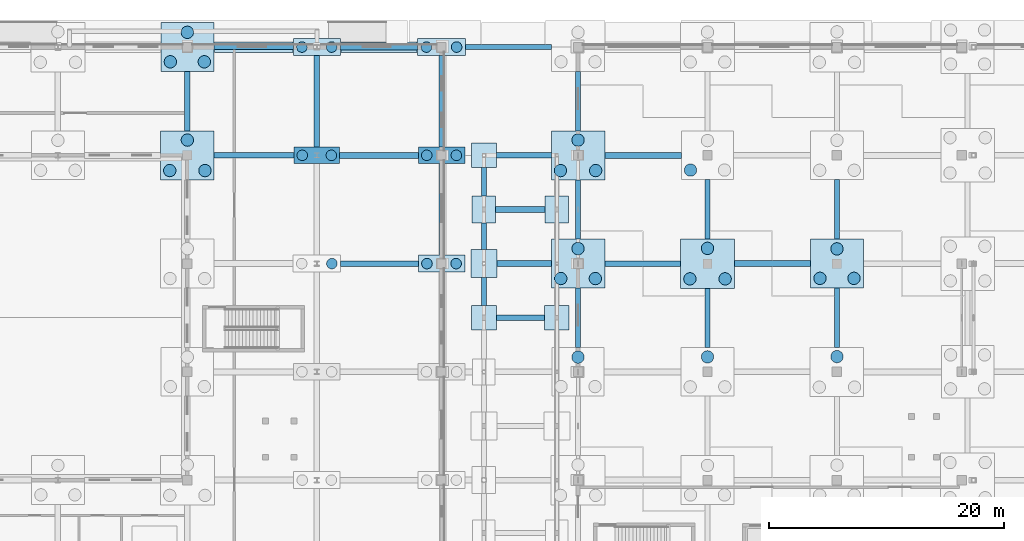
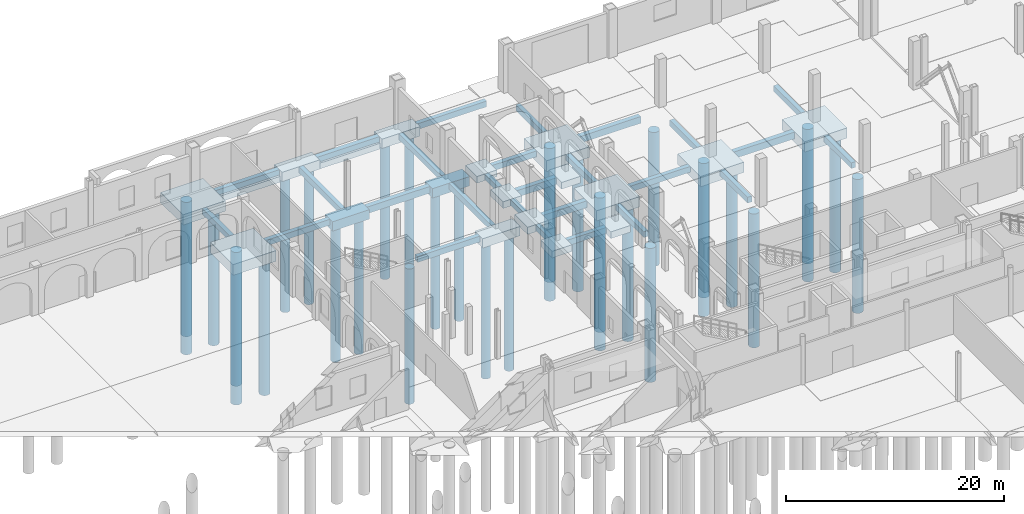
# One storey, part 9 of 83: 46 footings, 33 piles.
"""IFC4 building model written with IfcOpenShell, lengths in metres."""

import ifcopenshell
import ifcopenshell.guid

model = None  # the IFC model being written
_history = None  # IfcOwnerHistory: only IFC2X3 demands one
_inside = {}  # id of a spatial element -> (the spatial element, [elements in it])
_under = {}  # id of a project, library or spatial element -> (it, [spatial elements below it])
_declared = {}  # id of a project -> (the project, [libraries it declares])
_typed = {}  # id of a type object -> (the type object, [elements of that type])
_made_of = {}  # id of a material, layer set ... -> (it, [elements and type objects made of it])


def new_model(schema):
    """Start an empty IFC model of exactly this schema.

    Asked for "IFC4X3", IfcOpenShell would pick the latest addendum, in which some entities
    have other attributes; the version numbers below select the first issue.
    IFC2X3 requires an IfcOwnerHistory on every rooted entity: one is made here for all.
    """
    global model, _history
    if schema == "IFC4X3":
        model = ifcopenshell.file(schema_version=(4, 3, 0, 0))
    else:
        model = ifcopenshell.file(schema=schema)
    _inside.clear()
    _under.clear()
    _declared.clear()
    _typed.clear()
    _made_of.clear()
    _history = None
    if model.schema == "IFC2X3":
        org = make("IfcOrganization", Name="unknown")
        user = make(
            "IfcPersonAndOrganization",
            ThePerson=make("IfcPerson", FamilyName="unknown"),
            TheOrganization=org,
        )
        app = make(
            "IfcApplication",
            ApplicationDeveloper=org,
            Version="unknown",
            ApplicationFullName="unknown",
            ApplicationIdentifier="unknown",
        )
        _history = make(
            "IfcOwnerHistory",
            OwningUser=user,
            OwningApplication=app,
            ChangeAction="ADDED",
            CreationDate=0,
        )
    return model


def make(cls, **values):
    """One entity of the class cls with the attributes given. An attribute that is None is left unset."""
    return model.create_entity(
        cls, **{name: value for name, value in values.items() if value is not None}
    )


def rooted(cls, **values):
    """An entity with a GlobalId (a new one), such as an element, a storey or a relation."""
    return make(cls, GlobalId=ifcopenshell.guid.new(), OwnerHistory=_history, **values)


def si_unit(unit_type, name, prefix=None):
    """IfcSIUnit, for example si_unit("LENGTHUNIT", "METRE", prefix="MILLI")."""
    return make("IfcSIUnit", UnitType=unit_type, Prefix=prefix, Name=name)


def assignment(units):
    """IfcUnitAssignment: the units of a project."""
    return None if units is None else make("IfcUnitAssignment", Units=units)


def point(xyz):
    """IfcCartesianPoint."""
    return None if xyz is None else make("IfcCartesianPoint", Coordinates=xyz)


def direction(xyz):
    """IfcDirection."""
    return None if xyz is None else make("IfcDirection", DirectionRatios=xyz)


def frame(location, z_axis=None, x_axis=None):
    """IfcAxis2Placement3D, a coordinate frame: its origin and axes. An axis left out is left unset."""
    return make(
        "IfcAxis2Placement3D",
        Location=point(location),
        Axis=direction(z_axis),
        RefDirection=direction(x_axis),
    )


def frame_2d(location, x_axis=None):
    """IfcAxis2Placement2D, a coordinate frame in the plane: its origin and x axis."""
    return make(
        "IfcAxis2Placement2D", Location=point(location), RefDirection=direction(x_axis)
    )


def origin():
    """The frame at (0, 0, 0) with its axes left unset."""
    return frame((0.0, 0.0, 0.0))


def origin_2d():
    """The frame at (0, 0) in the plane with its x axis left unset."""
    return frame_2d((0.0, 0.0))


def place(relative_to, where):
    """IfcLocalPlacement: puts the frame where relative to a parent placement (None: the world)."""
    return make(
        "IfcLocalPlacement", PlacementRelTo=relative_to, RelativePlacement=where
    )


def context(
    kind, dimensions, precision=None, world=None, true_north=None, identifier=None
):
    """IfcGeometricRepresentationContext, for example the 3D "Model" context."""
    return make(
        "IfcGeometricRepresentationContext",
        ContextIdentifier=identifier,
        ContextType=kind,
        CoordinateSpaceDimension=dimensions,
        Precision=precision,
        WorldCoordinateSystem=world,
        TrueNorth=true_north,
    )


def subcontext(parent, identifier, kind, view, scale=None):
    """IfcGeometricRepresentationSubContext, for example "Body" below "Model"."""
    return make(
        "IfcGeometricRepresentationSubContext",
        ContextIdentifier=identifier,
        ContextType=kind,
        ParentContext=parent,
        TargetScale=scale,
        TargetView=view,
    )


def project(units=None, contexts=None):
    """IfcProject with its units and contexts."""
    return rooted(
        "IfcProject",
        Name="project",
        RepresentationContexts=contexts,
        UnitsInContext=assignment(units),
    )


def spatial(cls, under=None, at=None, **own):
    """A site, building, storey or space (cls), placed at a placement, below another one or the project."""
    s = rooted(cls, ObjectPlacement=at, **own)
    if under is not None:
        _under.setdefault(under.id(), (under, []))[1].append(s)
    return s


def polyline(points):
    """IfcPolyline through the points."""
    return make("IfcPolyline", Points=[point(p) for p in points])


def profile(cls, at=None, kind="AREA", **sizes):
    """A parametric profile (cls). Its sizes go by their IFC names, for example OverallWidth=200.0."""
    return make(cls, ProfileType=kind, Position=at, **sizes)


def circle(**sizes):
    """IfcCircleProfileDef."""
    return profile("IfcCircleProfileDef", **sizes)


def outline(outer, holes=None, kind="AREA"):
    """IfcArbitraryClosedProfileDef: a profile drawn as a closed curve; with holes, ...WithVoids."""
    if holes is None:
        return make("IfcArbitraryClosedProfileDef", ProfileType=kind, OuterCurve=outer)
    return make(
        "IfcArbitraryProfileDefWithVoids",
        ProfileType=kind,
        OuterCurve=outer,
        InnerCurves=holes,
    )


def extrude(swept, where, along, depth):
    """IfcExtrudedAreaSolid: the profile swept, set in the frame where, extruded along a direction by depth."""
    return make(
        "IfcExtrudedAreaSolid",
        SweptArea=swept,
        Position=where,
        ExtrudedDirection=direction(along),
        Depth=depth,
    )


def shape(context_of_items, identifier, shape_type, items):
    """IfcShapeRepresentation: the items that make up one representation, for example the "Body"."""
    return make(
        "IfcShapeRepresentation",
        ContextOfItems=context_of_items,
        RepresentationIdentifier=identifier,
        RepresentationType=shape_type,
        Items=items,
    )


def material(Name=None, Category=None):
    """IfcMaterial."""
    return make("IfcMaterial", Name=Name, Category=Category)


def material_profile(
    of_material, cross_section, Name=None, Category=None, Priority=None
):
    """IfcMaterialProfile: a cross section and its material."""
    return make(
        "IfcMaterialProfile",
        Name=Name,
        Material=of_material,
        Profile=cross_section,
        Priority=Priority,
        Category=Category,
    )


def profile_set(profiles, Name=None, composite=None):
    """IfcMaterialProfileSet."""
    return make(
        "IfcMaterialProfileSet",
        Name=Name,
        MaterialProfiles=profiles,
        CompositeProfile=composite,
    )


def made_of(thing, what):
    """Note that an element or type object is made of a material, layer set ...; save() writes the relation."""
    if what is not None:
        _made_of.setdefault(what.id(), (what, []))[1].append(thing)
    return thing


def type_object(cls, material=None, **own):
    """A type object (cls), such as IfcWallType, which elements share."""
    return made_of(rooted(cls, **own), material)


def element(
    cls,
    number,
    at=None,
    inside=None,
    cuts=None,
    type_object=None,
    material=None,
    context=None,
    identifier="Body",
    shape_type=None,
    held_by="IfcProductDefinitionShape",
    body=None,
    shapes=None,
    **own,
):
    """One element of the class cls, such as IfcWall. Its Tag is "e" and its number.

    at: its placement. inside: the storey or other place that contains it. cuts: it is an
    opening in that element (IfcRelVoidsElement). A single representation is given by context,
    identifier, shape_type and body (its items); several are given by shapes. held_by: the class
    of the entity that holds the representations. save() writes the other relations.
    """
    e = rooted(cls, Tag="e%d" % number, ObjectPlacement=at, **own)
    if body is not None:
        shapes = [shape(context, identifier, shape_type, body)]
    if shapes is not None:
        e.Representation = make(held_by, Representations=shapes)
    if inside is not None:
        _inside.setdefault(inside.id(), (inside, []))[1].append(e)
    if cuts is not None:
        rooted(
            "IfcRelVoidsElement", RelatingBuildingElement=cuts, RelatedOpeningElement=e
        )
    if type_object is not None:
        _typed.setdefault(type_object.id(), (type_object, []))[1].append(e)
    return made_of(e, material)


def aggregate(whole, parts):
    """IfcRelAggregates: a whole, such as a stair, and the parts it consists of."""
    return rooted("IfcRelAggregates", RelatingObject=whole, RelatedObjects=parts)


def save(model, path):
    """Write the relations noted so far, then the file.

    IfcRelAggregates (storeys below a building ...), IfcRelContainedInSpatialStructure (elements
    in a storey), IfcRelDefinesByType, IfcRelAssociatesMaterial and IfcRelDeclares: one each for
    every whole, place, type object, material and project.
    """
    for whole, parts in _under.values():
        aggregate(whole, parts)
    for where, things in _inside.values():
        rooted(
            "IfcRelContainedInSpatialStructure",
            RelatedElements=things,
            RelatingStructure=where,
        )
    for kind, things in _typed.values():
        rooted("IfcRelDefinesByType", RelatedObjects=things, RelatingType=kind)
    for what, things in _made_of.values():
        rooted("IfcRelAssociatesMaterial", RelatedObjects=things, RelatingMaterial=what)
    for by, libraries in _declared.values():
        rooted("IfcRelDeclares", RelatingContext=by, RelatedDefinitions=libraries)
    model.write(path)


model = new_model("IFC4")

# Units and contexts
model_context = context("Model", 3, precision=1e-05, world=origin(), true_north=direction((0.0, 1.0)))
body_context = subcontext(model_context, "Body", "Model", "MODEL_VIEW")
ifc_project = project(units=[si_unit("LENGTHUNIT", "METRE"), si_unit("AREAUNIT", "SQUARE_METRE"), si_unit("VOLUMEUNIT", "CUBIC_METRE"), si_unit("PLANEANGLEUNIT", "RADIAN"), si_unit("MASSUNIT", "GRAM", prefix="KILO")], contexts=[model_context])

# Site, building, storey
site_placement = place(None, origin())
site = spatial("IfcSite", under=ifc_project, at=site_placement, CompositionType="ELEMENT")
building_placement = place(site_placement, origin())
building = spatial("IfcBuilding", under=site, at=building_placement, Name="Caurita Quay Ferry Terminal", CompositionType="ELEMENT")
storey_placement = place(building_placement, origin())
storey = spatial("IfcBuildingStorey", under=building, at=storey_placement, Name="L00", CompositionType="ELEMENT", Elevation=0.0)

# Footings
ifc_material = material(Name="Marine reinforced concrete C40/50", Category="concrete")
footing_type_1 = type_object("IfcFootingType", Name="FTG-BM-01", PredefinedType="FOOTING_BEAM", material=ifc_material)
footing_1_placement = place(storey_placement, frame((0.0, 0.0, -1.14990234375)))
element("IfcFooting", 1, at=footing_1_placement, inside=storey, type_object=footing_type_1, Name="Seismic Tie Footing Beam FB-X-143", PredefinedType="FOOTING_BEAM", context=body_context, shape_type="SweptSolid", body=[
    extrude(outline(polyline([(92.300048828125, 98.35009765625), (96.925048828125, 98.35009765625), (96.925048828125, 98.85009765625), (92.300048828125, 98.85009765625), (92.300048828125, 98.35009765625)])), origin(), (0.0, 0.0, 1.0), 0.75),
])
footing_2_placement = place(storey_placement, frame((0.0, 0.0, -1.14990234375)))
element("IfcFooting", 2, at=footing_2_placement, inside=storey, type_object=footing_type_1, Name="Seismic Tie Footing Beam FB-X-145", PredefinedType="FOOTING_BEAM", context=body_context, shape_type="SweptSolid", body=[
    extrude(outline(polyline([(112.5, 98.35009765625), (118.949951171875, 98.35009765625), (118.949951171875, 98.85009765625), (112.5, 98.85009765625), (112.5, 98.35009765625)])), origin(), (0.0, 0.0, 1.0), 0.75),
])
footing_3_placement = place(storey_placement, frame((0.0, 0.0, -1.14990234375)))
element("IfcFooting", 3, at=footing_3_placement, inside=storey, type_object=footing_type_1, Name="Seismic Tie Footing Beam FB-X-151", PredefinedType="FOOTING_BEAM", context=body_context, shape_type="SweptSolid", body=[
    extrude(outline(polyline([(92.199951171875, 102.949951171875), (96.39990234375, 102.949951171875), (96.39990234375, 103.449951171875), (92.199951171875, 103.449951171875), (92.199951171875, 102.949951171875)])), origin(), (0.0, 0.0, 1.0), 0.75),
])
footing_4_placement = place(storey_placement, frame((0.0, 0.0, -1.14990234375)))
element("IfcFooting", 4, at=footing_4_placement, inside=storey, type_object=footing_type_1, Name="Seismic Tie Footing Beam FB-X-159", PredefinedType="FOOTING_BEAM", context=body_context, shape_type="SweptSolid", body=[
    extrude(outline(polyline([(78.949951171875, 107.550048828125), (85.625, 107.550048828125), (85.625, 108.050048828125), (78.949951171875, 108.050048828125), (78.949951171875, 107.550048828125)])), origin(), (0.0, 0.0, 1.0), 0.75),
])
footing_5_placement = place(storey_placement, frame((0.0, 0.0, -1.14990234375)))
element("IfcFooting", 5, at=footing_5_placement, inside=storey, type_object=footing_type_1, Name="Seismic Tie Footing Beam FB-X-161", PredefinedType="FOOTING_BEAM", context=body_context, shape_type="SweptSolid", body=[
    extrude(outline(polyline([(101.47509765625, 107.550048828125), (107.97509765625, 107.550048828125), (107.97509765625, 108.050048828125), (101.47509765625, 108.050048828125), (101.47509765625, 107.550048828125)])), origin(), (0.0, 0.0, 1.0), 0.75),
])
footing_6_placement = place(storey_placement, frame((0.0, 0.0, -1.14990234375)))
element("IfcFooting", 6, at=footing_6_placement, inside=storey, type_object=footing_type_1, Name="Seismic Tie Footing Beam FB-X-175", PredefinedType="FOOTING_BEAM", context=body_context, shape_type="SweptSolid", body=[
    extrude(outline(polyline([(79.0, 116.75), (85.574951171875, 116.75), (85.574951171875, 117.25), (79.0, 117.25), (79.0, 116.75)])), origin(), (0.0, 0.0, 1.0), 0.75),
])
footing_type_2 = type_object("IfcFootingType", Name="FTG-BM-02", PredefinedType="FOOTING_BEAM", material=ifc_material)
footing_7_placement = place(storey_placement, frame((0.0, 0.0, -1.050048828125)))
element("IfcFooting", 7, at=footing_7_placement, inside=storey, type_object=footing_type_2, Name="Seismic Tie Footing Beam FB-X-138", PredefinedType="FOOTING_BEAM", context=body_context, shape_type="SweptSolid", body=[
    extrude(outline(polyline([(92.25, 93.77490234375), (96.35009765625, 93.77490234375), (96.35009765625, 94.22509765625), (92.25, 94.22509765625), (92.25, 93.77490234375)])), origin(), (0.0, 0.0, 1.0), 0.650146484375),
])
footing_8_placement = place(storey_placement, frame((0.0, 0.0, -1.050048828125)))
element("IfcFooting", 8, at=footing_8_placement, inside=storey, type_object=footing_type_2, Name="Seismic Tie Footing Beam FB-X-142", PredefinedType="FOOTING_BEAM", context=body_context, shape_type="SweptSolid", body=[
    extrude(outline(polyline([(79.02490234375, 98.375), (85.625, 98.375), (85.625, 98.824951171875), (79.02490234375, 98.824951171875), (79.02490234375, 98.375)])), origin(), (0.0, 0.0, 1.0), 0.650146484375),
])
footing_9_placement = place(storey_placement, frame((0.0, 0.0, -1.050048828125)))
element("IfcFooting", 9, at=footing_9_placement, inside=storey, type_object=footing_type_2, Name="Seismic Tie Footing Beam FB-X-144", PredefinedType="FOOTING_BEAM", context=body_context, shape_type="SweptSolid", body=[
    extrude(outline(polyline([(101.47509765625, 98.375), (107.89990234375, 98.375), (107.89990234375, 98.824951171875), (101.47509765625, 98.824951171875), (101.47509765625, 98.375)])), origin(), (0.0, 0.0, 1.0), 0.650146484375),
])
footing_10_placement = place(storey_placement, frame((0.0, 0.0, -1.050048828125)))
element("IfcFooting", 10, at=footing_10_placement, inside=storey, type_object=footing_type_2, Name="Seismic Tie Footing Beam FB-X-158", PredefinedType="FOOTING_BEAM", context=body_context, shape_type="SweptSolid", body=[
    extrude(outline(polyline([(68.27490234375, 107.574951171875), (75.050048828125, 107.574951171875), (75.050048828125, 108.02490234375), (68.27490234375, 108.02490234375), (68.27490234375, 107.574951171875)])), origin(), (0.0, 0.0, 1.0), 0.650146484375),
])
footing_11_placement = place(storey_placement, frame((0.0, 0.0, -1.050048828125)))
element("IfcFooting", 11, at=footing_11_placement, inside=storey, type_object=footing_type_2, Name="Seismic Tie Footing Beam FB-X-160", PredefinedType="FOOTING_BEAM", context=body_context, shape_type="SweptSolid", body=[
    extrude(outline(polyline([(92.25, 107.574951171875), (96.925048828125, 107.574951171875), (96.925048828125, 108.02490234375), (92.25, 108.02490234375), (92.25, 107.574951171875)])), origin(), (0.0, 0.0, 1.0), 0.650146484375),
])
footing_12_placement = place(storey_placement, frame((0.0, 0.0, -1.050048828125)))
element("IfcFooting", 12, at=footing_12_placement, inside=storey, type_object=footing_type_2, Name="Seismic Tie Footing Beam FB-X-174", PredefinedType="FOOTING_BEAM", context=body_context, shape_type="SweptSolid", body=[
    extrude(outline(polyline([(68.25, 116.77490234375), (75.0, 116.77490234375), (75.0, 117.22509765625), (68.25, 117.22509765625), (68.25, 116.77490234375)])), origin(), (0.0, 0.0, 1.0), 0.650146484375),
])
footing_13_placement = place(storey_placement, frame((0.0, 0.0, -1.050048828125)))
element("IfcFooting", 13, at=footing_13_placement, inside=storey, type_object=footing_type_2, Name="Seismic Tie Footing Beam FB-X-176", PredefinedType="FOOTING_BEAM", context=body_context, shape_type="SweptSolid", body=[
    extrude(outline(polyline([(89.625, 116.77490234375), (96.949951171875, 116.77490234375), (96.949951171875, 117.22509765625), (89.625, 117.22509765625), (89.625, 116.77490234375)])), origin(), (0.0, 0.0, 1.0), 0.650146484375),
])
footing_14_placement = place(storey_placement, frame((0.0, 0.0, -1.050048828125)))
element("IfcFooting", 14, at=footing_14_placement, inside=storey, type_object=footing_type_2, Name="Seismic Tie Footing Beam FB-Y-250", PredefinedType="FOOTING_BEAM", context=body_context, shape_type="SweptSolid", body=[
    extrude(outline(polyline([(65.77490234375, 109.875), (66.22509765625, 109.875), (66.22509765625, 114.925048828125), (65.77490234375, 114.925048828125), (65.77490234375, 109.875)])), origin(), (0.0, 0.0, 1.0), 0.650146484375),
])
footing_15_placement = place(storey_placement, frame((0.0, 0.0, -1.050048828125)))
element("IfcFooting", 15, at=footing_15_placement, inside=storey, type_object=footing_type_2, Name="Seismic Tie Footing Beam FB-Y-261", PredefinedType="FOOTING_BEAM", context=body_context, shape_type="SweptSolid", body=[
    extrude(outline(polyline([(76.77490234375, 108.5), (77.22509765625, 108.5), (77.22509765625, 116.27490234375), (76.77490234375, 116.27490234375), (76.77490234375, 108.5)])), origin(), (0.0, 0.0, 1.0), 0.650146484375),
])
footing_16_placement = place(storey_placement, frame((0.0, 0.0, -1.050048828125)))
element("IfcFooting", 16, at=footing_16_placement, inside=storey, type_object=footing_type_2, Name="Seismic Tie Footing Beam FB-Y-269", PredefinedType="FOOTING_BEAM", context=body_context, shape_type="SweptSolid", body=[
    extrude(outline(polyline([(87.375, 99.324951171875), (87.824951171875, 99.324951171875), (87.824951171875, 107.10009765625), (87.375, 107.10009765625), (87.375, 99.324951171875)])), origin(), (0.0, 0.0, 1.0), 0.650146484375),
])
footing_17_placement = place(storey_placement, frame((0.0, 0.0, -1.050048828125)))
element("IfcFooting", 17, at=footing_17_placement, inside=storey, type_object=footing_type_2, Name="Seismic Tie Footing Beam FB-Y-270", PredefinedType="FOOTING_BEAM", context=body_context, shape_type="SweptSolid", body=[
    extrude(outline(polyline([(87.375, 108.5), (87.824951171875, 108.5), (87.824951171875, 116.27490234375), (87.375, 116.27490234375), (87.375, 108.5)])), origin(), (0.0, 0.0, 1.0), 0.650146484375),
])
footing_18_placement = place(storey_placement, frame((0.0, 0.0, -1.050048828125)))
element("IfcFooting", 18, at=footing_18_placement, inside=storey, type_object=footing_type_2, Name="Seismic Tie Footing Beam FB-Y-275", PredefinedType="FOOTING_BEAM", context=body_context, shape_type="SweptSolid", body=[
    extrude(outline(polyline([(90.97509765625, 95.050048828125), (91.425048828125, 95.050048828125), (91.425048828125, 97.39990234375), (90.97509765625, 97.39990234375), (90.97509765625, 95.050048828125)])), origin(), (0.0, 0.0, 1.0), 0.650146484375),
])
footing_19_placement = place(storey_placement, frame((0.0, 0.0, -1.050048828125)))
element("IfcFooting", 19, at=footing_19_placement, inside=storey, type_object=footing_type_2, Name="Seismic Tie Footing Beam FB-Y-276", PredefinedType="FOOTING_BEAM", context=body_context, shape_type="SweptSolid", body=[
    extrude(outline(polyline([(90.97509765625, 99.800048828125), (91.425048828125, 99.800048828125), (91.425048828125, 102.050048828125), (90.97509765625, 102.050048828125), (90.97509765625, 99.800048828125)])), origin(), (0.0, 0.0, 1.0), 0.650146484375),
])
footing_20_placement = place(storey_placement, frame((0.0, 0.0, -1.050048828125)))
element("IfcFooting", 20, at=footing_20_placement, inside=storey, type_object=footing_type_2, Name="Seismic Tie Footing Beam FB-Y-277", PredefinedType="FOOTING_BEAM", context=body_context, shape_type="SweptSolid", body=[
    extrude(outline(polyline([(90.97509765625, 104.35009765625), (91.425048828125, 104.35009765625), (91.425048828125, 106.75), (90.97509765625, 106.75), (90.97509765625, 104.35009765625)])), origin(), (0.0, 0.0, 1.0), 0.650146484375),
])
footing_21_placement = place(storey_placement, frame((0.0, 0.0, -1.050048828125)))
element("IfcFooting", 21, at=footing_21_placement, inside=storey, type_object=footing_type_2, Name="Seismic Tie Footing Beam FB-Y-284", PredefinedType="FOOTING_BEAM", context=body_context, shape_type="SweptSolid", body=[
    extrude(outline(polyline([(98.97509765625, 91.449951171875), (99.425048828125, 91.449951171875), (99.425048828125, 96.52490234375), (98.97509765625, 96.52490234375), (98.97509765625, 91.449951171875)])), origin(), (0.0, 0.0, 1.0), 0.650146484375),
])
footing_22_placement = place(storey_placement, frame((0.0, 0.0, -1.050048828125)))
element("IfcFooting", 22, at=footing_22_placement, inside=storey, type_object=footing_type_2, Name="Seismic Tie Footing Beam FB-Y-285", PredefinedType="FOOTING_BEAM", context=body_context, shape_type="SweptSolid", body=[
    extrude(outline(polyline([(98.97509765625, 100.675048828125), (99.425048828125, 100.675048828125), (99.425048828125, 105.72509765625), (98.97509765625, 105.72509765625), (98.97509765625, 100.675048828125)])), origin(), (0.0, 0.0, 1.0), 0.650146484375),
])
footing_23_placement = place(storey_placement, frame((0.0, 0.0, -1.050048828125)))
element("IfcFooting", 23, at=footing_23_placement, inside=storey, type_object=footing_type_2, Name="Seismic Tie Footing Beam FB-Y-286", PredefinedType="FOOTING_BEAM", context=body_context, shape_type="SweptSolid", body=[
    extrude(outline(polyline([(98.97509765625, 109.875), (99.425048828125, 109.875), (99.425048828125, 114.925048828125), (98.97509765625, 114.925048828125), (98.97509765625, 109.875)])), origin(), (0.0, 0.0, 1.0), 0.650146484375),
])
footing_24_placement = place(storey_placement, frame((0.0, 0.0, -1.050048828125)))
element("IfcFooting", 24, at=footing_24_placement, inside=storey, type_object=footing_type_2, Name="Seismic Tie Footing Beam FB-Y-293", PredefinedType="FOOTING_BEAM", context=body_context, shape_type="SweptSolid", body=[
    extrude(outline(polyline([(109.97509765625, 91.449951171875), (110.425048828125, 91.449951171875), (110.425048828125, 96.5), (109.97509765625, 96.5), (109.97509765625, 91.449951171875)])), origin(), (0.0, 0.0, 1.0), 0.650146484375),
])
footing_25_placement = place(storey_placement, frame((0.0, 0.0, -1.050048828125)))
element("IfcFooting", 25, at=footing_25_placement, inside=storey, type_object=footing_type_2, Name="Seismic Tie Footing Beam FB-Y-294", PredefinedType="FOOTING_BEAM", context=body_context, shape_type="SweptSolid", body=[
    extrude(outline(polyline([(109.97509765625, 100.699951171875), (110.425048828125, 100.699951171875), (110.425048828125, 105.75), (109.97509765625, 105.75), (109.97509765625, 100.699951171875)])), origin(), (0.0, 0.0, 1.0), 0.650146484375),
])
footing_26_placement = place(storey_placement, frame((0.0, 0.0, -1.050048828125)))
element("IfcFooting", 26, at=footing_26_placement, inside=storey, type_object=footing_type_2, Name="Seismic Tie Footing Beam FB-Y-302", PredefinedType="FOOTING_BEAM", context=body_context, shape_type="SweptSolid", body=[
    extrude(outline(polyline([(120.97509765625, 91.47509765625), (121.425048828125, 91.47509765625), (121.425048828125, 96.52490234375), (120.97509765625, 96.52490234375), (120.97509765625, 91.47509765625)])), origin(), (0.0, 0.0, 1.0), 0.650146484375),
])
footing_27_placement = place(storey_placement, frame((0.0, 0.0, -1.050048828125)))
element("IfcFooting", 27, at=footing_27_placement, inside=storey, type_object=footing_type_2, Name="Seismic Tie Footing Beam FB-Y-303", PredefinedType="FOOTING_BEAM", context=body_context, shape_type="SweptSolid", body=[
    extrude(outline(polyline([(120.97509765625, 100.675048828125), (121.425048828125, 100.675048828125), (121.425048828125, 105.75), (120.97509765625, 105.75), (120.97509765625, 100.675048828125)])), origin(), (0.0, 0.0, 1.0), 0.650146484375),
])
footing_type_3 = type_object("IfcFootingType", Name="FTG-PAD-01", PredefinedType="PAD_FOOTING", material=ifc_material)
footing_28_placement = place(storey_placement, frame((0.0, 0.0, -1.14990234375)))
element("IfcFooting", 28, at=footing_28_placement, inside=storey, type_object=footing_type_3, Name="Pad Footing PF-05", PredefinedType="PAD_FOOTING", context=body_context, shape_type="SweptSolid", body=[
    extrude(outline(polyline([(90.14990234375, 106.75), (92.25, 106.75), (92.25, 108.85009765625), (90.14990234375, 108.85009765625), (90.14990234375, 106.75)])), origin(), (0.0, 0.0, 1.0), 0.75),
])
footing_29_placement = place(storey_placement, frame((0.0, 0.0, -1.14990234375)))
element("IfcFooting", 29, at=footing_29_placement, inside=storey, type_object=footing_type_3, Name="Pad Footing PF-13", PredefinedType="PAD_FOOTING", context=body_context, shape_type="SweptSolid", body=[
    extrude(outline(polyline([(90.14990234375, 92.949951171875), (92.25, 92.949951171875), (92.25, 95.050048828125), (90.14990234375, 95.050048828125), (90.14990234375, 92.949951171875)])), origin(), (0.0, 0.0, 1.0), 0.75),
])
footing_30_placement = place(storey_placement, frame((0.0, 0.0, -1.14990234375)))
element("IfcFooting", 30, at=footing_30_placement, inside=storey, type_object=footing_type_3, Name="Pad Footing PF-17", PredefinedType="PAD_FOOTING", context=body_context, shape_type="SweptSolid", body=[
    extrude(outline(polyline([(96.35009765625, 92.949951171875), (98.449951171875, 92.949951171875), (98.449951171875, 95.050048828125), (96.35009765625, 95.050048828125), (96.35009765625, 92.949951171875)])), origin(), (0.0, 0.0, 1.0), 0.75),
])
footing_type_4 = type_object("IfcFootingType", Name="FTG-PAD-02", PredefinedType="PAD_FOOTING", material=ifc_material)
footing_31_placement = place(storey_placement, frame((0.0, 0.0, -1.14990234375)))
element("IfcFooting", 31, at=footing_31_placement, inside=storey, type_object=footing_type_4, Name="Pad Footing PF-14", PredefinedType="PAD_FOOTING", context=body_context, shape_type="SweptSolid", body=[
    extrude(outline(polyline([(90.199951171875, 102.050048828125), (92.199951171875, 102.050048828125), (92.199951171875, 104.35009765625), (90.199951171875, 104.35009765625), (90.199951171875, 102.050048828125)])), origin(), (0.0, 0.0, 1.0), 0.75),
])
footing_32_placement = place(storey_placement, frame((0.0, 0.0, -1.14990234375)))
element("IfcFooting", 32, at=footing_32_placement, inside=storey, type_object=footing_type_4, Name="Pad Footing PF-18", PredefinedType="PAD_FOOTING", context=body_context, shape_type="SweptSolid", body=[
    extrude(outline(polyline([(96.39990234375, 102.050048828125), (98.39990234375, 102.050048828125), (98.39990234375, 104.35009765625), (96.39990234375, 104.35009765625), (96.39990234375, 102.050048828125)])), origin(), (0.0, 0.0, 1.0), 0.75),
])
footing_type_5 = type_object("IfcFootingType", Name="FTG-PAD-04", PredefinedType="PAD_FOOTING", material=ifc_material)
footing_33_placement = place(storey_placement, frame((0.0, 0.0, -1.199951171875)))
element("IfcFooting", 33, at=footing_33_placement, inside=storey, type_object=footing_type_5, Name="Pad Footing PF-04", PredefinedType="PAD_FOOTING", context=body_context, shape_type="SweptSolid", body=[
    extrude(outline(polyline([(90.10009765625, 97.39990234375), (92.300048828125, 97.39990234375), (92.300048828125, 99.800048828125), (90.10009765625, 99.800048828125), (90.10009765625, 97.39990234375)])), origin(), (0.0, 0.0, 1.0), 0.800048828125),
])
footing_type_6 = type_object("IfcFootingType", Name="FTG-PC-02", PredefinedType="PILE_CAP", material=ifc_material)
footing_34_placement = place(storey_placement, frame((0.0, 0.0, -1.550048828125)))
element("IfcFooting", 34, at=footing_34_placement, inside=storey, type_object=footing_type_6, Name="Pile Cap PC-092", PredefinedType="PILE_CAP", context=body_context, shape_type="SweptSolid", body=[
    extrude(outline(polyline([(96.925048828125, 96.52490234375), (101.47509765625, 96.52490234375), (101.47509765625, 100.675048828125), (96.925048828125, 100.675048828125), (96.925048828125, 96.52490234375)])), origin(), (0.0, 0.0, 1.0), 1.150146484375),
])
footing_type_7 = type_object("IfcFootingType", Name="FTG-PC-03", PredefinedType="PILE_CAP", material=ifc_material)
footing_35_placement = place(storey_placement, frame((0.0, 0.0, -1.60009765625)))
element("IfcFooting", 35, at=footing_35_placement, inside=storey, type_object=footing_type_7, Name="Pile Cap PC-063", PredefinedType="PILE_CAP", context=body_context, shape_type="SweptSolid", body=[
    extrude(outline(polyline([(63.72509765625, 105.72509765625), (68.27490234375, 105.72509765625), (68.27490234375, 109.875), (63.72509765625, 109.875), (63.72509765625, 105.72509765625)])), origin(), (0.0, 0.0, 1.0), 1.2001953125),
])
footing_36_placement = place(storey_placement, frame((0.0, 0.0, -1.60009765625)))
element("IfcFooting", 36, at=footing_36_placement, inside=storey, type_object=footing_type_7, Name="Pile Cap PC-093", PredefinedType="PILE_CAP", context=body_context, shape_type="SweptSolid", body=[
    extrude(outline(polyline([(96.925048828125, 105.72509765625), (101.47509765625, 105.72509765625), (101.47509765625, 109.875), (96.925048828125, 109.875), (96.925048828125, 105.72509765625)])), origin(), (0.0, 0.0, 1.0), 1.2001953125),
])
footing_type_8 = type_object("IfcFootingType", Name="FTG-PC-12", PredefinedType="PILE_CAP", material=ifc_material)
footing_37_placement = place(storey_placement, frame((0.0, 0.0, -1.449951171875)))
element("IfcFooting", 37, at=footing_37_placement, inside=storey, type_object=footing_type_8, Name="Pile Cap PC-084", PredefinedType="PILE_CAP", context=body_context, shape_type="SweptSolid", body=[
    extrude(outline(polyline([(85.574951171875, 116.27490234375), (89.625, 116.27490234375), (89.625, 117.72509765625), (85.574951171875, 117.72509765625), (85.574951171875, 116.27490234375)])), origin(), (0.0, 0.0, 1.0), 1.050048828125),
])
footing_type_9 = type_object("IfcFootingType", Name="FTG-PC-13", PredefinedType="PILE_CAP", material=ifc_material)
footing_38_placement = place(storey_placement, frame((0.0, 0.0, -1.449951171875)))
element("IfcFooting", 38, at=footing_38_placement, inside=storey, type_object=footing_type_9, Name="Pile Cap PC-073", PredefinedType="PILE_CAP", context=body_context, shape_type="SweptSolid", body=[
    extrude(outline(polyline([(75.050048828125, 107.10009765625), (78.949951171875, 107.10009765625), (78.949951171875, 108.5), (75.050048828125, 108.5), (75.050048828125, 107.10009765625)])), origin(), (0.0, 0.0, 1.0), 1.050048828125),
])
footing_type_10 = type_object("IfcFootingType", Name="FTG-PC-18", PredefinedType="PILE_CAP", material=ifc_material)
footing_39_placement = place(storey_placement, frame((0.0, 0.0, -1.449951171875)))
element("IfcFooting", 39, at=footing_39_placement, inside=storey, type_object=footing_type_10, Name="Pile Cap PC-082", PredefinedType="PILE_CAP", context=body_context, shape_type="SweptSolid", body=[
    extrude(outline(polyline([(85.625, 97.875), (89.574951171875, 97.875), (89.574951171875, 99.324951171875), (85.625, 99.324951171875), (85.625, 97.875)])), origin(), (0.0, 0.0, 1.0), 1.050048828125),
])
footing_type_11 = type_object("IfcFootingType", Name="FTG-PC-19", PredefinedType="PILE_CAP", material=ifc_material)
footing_40_placement = place(storey_placement, frame((0.0, 0.0, -1.449951171875)))
element("IfcFooting", 40, at=footing_40_placement, inside=storey, type_object=footing_type_11, Name="Pile Cap PC-083", PredefinedType="PILE_CAP", context=body_context, shape_type="SweptSolid", body=[
    extrude(outline(polyline([(85.625, 107.10009765625), (89.574951171875, 107.10009765625), (89.574951171875, 108.5), (85.625, 108.5), (85.625, 107.10009765625)])), origin(), (0.0, 0.0, 1.0), 1.050048828125),
])
footing_type_12 = type_object("IfcFootingType", Name="FTG-PC-22", PredefinedType="PILE_CAP", material=ifc_material)
footing_41_placement = place(storey_placement, frame((0.0, 0.0, -1.449951171875)))
element("IfcFooting", 41, at=footing_41_placement, inside=storey, type_object=footing_type_12, Name="Pile Cap PC-074", PredefinedType="PILE_CAP", context=body_context, shape_type="SweptSolid", body=[
    extrude(outline(polyline([(75.0, 116.27490234375), (79.0, 116.27490234375), (79.0, 117.72509765625), (75.0, 117.72509765625), (75.0, 116.27490234375)])), origin(), (0.0, 0.0, 1.0), 1.050048828125),
])
footing_type_13 = type_object("IfcFootingType", Name="FTG-PC-25", PredefinedType="PILE_CAP", material=ifc_material)
footing_42_placement = place(storey_placement, frame((0.0, 0.0, -1.550048828125)))
element("IfcFooting", 42, at=footing_42_placement, inside=storey, type_object=footing_type_13, Name="Pile Cap PC-064", PredefinedType="PILE_CAP", context=body_context, shape_type="SweptSolid", body=[
    extrude(outline(polyline([(63.75, 114.925048828125), (68.25, 114.925048828125), (68.25, 119.074951171875), (63.75, 119.074951171875), (63.75, 114.925048828125)])), origin(), (0.0, 0.0, 1.0), 1.150146484375),
])
footing_43_placement = place(storey_placement, frame((0.0, 0.0, -1.550048828125)))
element("IfcFooting", 43, at=footing_43_placement, inside=storey, type_object=footing_type_13, Name="Pile Cap PC-112", PredefinedType="PILE_CAP", context=body_context, shape_type="SweptSolid", body=[
    extrude(outline(polyline([(118.949951171875, 96.52490234375), (123.449951171875, 96.52490234375), (123.449951171875, 100.675048828125), (118.949951171875, 100.675048828125), (118.949951171875, 96.52490234375)])), origin(), (0.0, 0.0, 1.0), 1.150146484375),
])
footing_type_14 = type_object("IfcFootingType", Name="FTG-PC-27", PredefinedType="PILE_CAP", material=ifc_material)
footing_44_placement = place(storey_placement, frame((0.0, 0.0, -1.550048828125)))
element("IfcFooting", 44, at=footing_44_placement, inside=storey, type_object=footing_type_14, Name="Pile Cap PC-102", PredefinedType="PILE_CAP", context=body_context, shape_type="SweptSolid", body=[
    extrude(outline(polyline([(107.89990234375, 96.5), (112.5, 96.5), (112.5, 100.699951171875), (107.89990234375, 100.699951171875), (107.89990234375, 96.5)])), origin(), (0.0, 0.0, 1.0), 1.150146484375),
])
footing_type_15 = type_object("IfcFootingType", Name="FTG-STR-01", PredefinedType="STRIP_FOOTING", material=ifc_material)
footing_45_placement = place(storey_placement, frame((0.0, 0.0, -1.64990234375)))
element("IfcFooting", 45, at=footing_45_placement, inside=storey, type_object=footing_type_15, Name="Marine Seawall Strip Footing SF-17", PredefinedType="STRIP_FOOTING", context=body_context, shape_type="SweptSolid", body=[
    extrude(outline(polyline([(68.2900390625, 116.550048828125), (74.9599609375, 116.550048828125), (74.9599609375, 117.449951171875), (68.2900390625, 117.449951171875), (68.2900390625, 116.550048828125)])), origin(), (0.0, 0.0, 1.0), 0.64990234375),
])
footing_46_placement = place(storey_placement, frame((0.0, 0.0, -1.64990234375)))
element("IfcFooting", 46, at=footing_46_placement, inside=storey, type_object=footing_type_15, Name="Marine Seawall Strip Footing SF-18", PredefinedType="STRIP_FOOTING", context=body_context, shape_type="SweptSolid", body=[
    extrude(outline(polyline([(79.0400390625, 116.550048828125), (85.534912109375, 116.550048828125), (85.534912109375, 117.449951171875), (79.0400390625, 117.449951171875), (79.0400390625, 116.550048828125)])), origin(), (0.0, 0.0, 1.0), 0.64990234375),
])

# Piles
ifc_material_profile_1 = material_profile(ifc_material, circle(Radius=0.52490234375, at=origin_2d()), Name="PILE-D1050")
ifc_profile_set_1 = profile_set([ifc_material_profile_1], Name="Marine reinforced concrete C40/50")
pile_type_1 = type_object("IfcPileType", Name="TYPE-PL-1050", PredefinedType="BORED", material=ifc_profile_set_1)
for number, where, z_axis, x_axis, name in (
    (47, (64.50390625, 106.50390625, -1.5), (0.0, 0.0, -1.0), (1.0, 0.0, 0.0), "Bored Marine Pile PC-063-P1"),
    (48, (67.49609375, 106.50390625, -1.5), (0.0, 0.0, -1.0), (1.0, 0.0, 0.0), "Bored Marine Pile PC-063-P2"),
    (49, (66.0, 109.095947265625, -1.5), (0.0, 0.0, -1.0), (1.0, 0.0, 0.0), "Bored Marine Pile PC-063-P3"),
):
    element("IfcPile", number, at=place(storey_placement, frame(where, z_axis=z_axis, x_axis=x_axis)), inside=storey, type_object=pile_type_1, Name=name, PredefinedType="BORED", context=body_context, shape_type="SweptSolid", body=[
        extrude(circle(Radius=0.52490234375, at=origin_2d()), origin(), (0.0, 0.0, 1.0), 15.0),
    ])
for number, where, z_axis, x_axis, name in (
    (50, (64.555908203125, 115.7490234375, -1.449951171875), (0.0, 0.0, -1.0), (1.0, 0.0, 0.0), "Bored Marine Pile PC-064-P1"),
    (51, (67.444091796875, 115.7490234375, -1.449951171875), (0.0, 0.0, -1.0), (1.0, 0.0, 0.0), "Bored Marine Pile PC-064-P2"),
    (52, (66.0, 118.2509765625, -1.449951171875), (0.0, 0.0, -1.0), (1.0, 0.0, 0.0), "Bored Marine Pile PC-064-P3"),
):
    element("IfcPile", number, at=place(storey_placement, frame(where, z_axis=z_axis, x_axis=x_axis)), inside=storey, type_object=pile_type_1, Name=name, PredefinedType="BORED", context=body_context, shape_type="SweptSolid", body=[
        extrude(circle(Radius=0.52490234375, at=origin_2d()), origin(), (0.0, 0.0, 1.0), 15.050048828125),
    ])
pile_placement = place(storey_placement, frame((99.199951171875, 90.65087890625, -1.5), z_axis=(0.0, 0.0, -1.0), x_axis=(1.0, 0.0, 0.0)))
element("IfcPile", 53, at=pile_placement, inside=storey, type_object=pile_type_1, Name="Bored Marine Pile PC-091-P3", PredefinedType="BORED", context=body_context, shape_type="SweptSolid", body=[
    extrude(circle(Radius=0.52490234375, at=origin_2d()), origin(), (0.0, 0.0, 1.0), 15.0),
])
for number, where, z_axis, x_axis, name in (
    (54, (97.72998046875, 97.326904296875, -1.449951171875), (0.0, 0.0, -1.0), (1.0, 0.0, 0.0), "Bored Marine Pile PC-092-P1"),
    (55, (100.669921875, 97.326904296875, -1.449951171875), (0.0, 0.0, -1.0), (1.0, 0.0, 0.0), "Bored Marine Pile PC-092-P2"),
    (56, (99.199951171875, 99.873046875, -1.449951171875), (0.0, 0.0, -1.0), (1.0, 0.0, 0.0), "Bored Marine Pile PC-092-P3"),
):
    element("IfcPile", number, at=place(storey_placement, frame(where, z_axis=z_axis, x_axis=x_axis)), inside=storey, type_object=pile_type_1, Name=name, PredefinedType="BORED", context=body_context, shape_type="SweptSolid", body=[
        extrude(circle(Radius=0.52490234375, at=origin_2d()), origin(), (0.0, 0.0, 1.0), 15.050048828125),
    ])
for number, where, z_axis, x_axis, name in (
    (57, (97.7041015625, 106.50390625, -1.5), (0.0, 0.0, -1.0), (1.0, 0.0, 0.0), "Bored Marine Pile PC-093-P1"),
    (58, (100.697021484375, 106.50390625, -1.5), (0.0, 0.0, -1.0), (1.0, 0.0, 0.0), "Bored Marine Pile PC-093-P2"),
    (59, (99.199951171875, 109.095947265625, -1.5), (0.0, 0.0, -1.0), (1.0, 0.0, 0.0), "Bored Marine Pile PC-093-P3"),
    (60, (110.199951171875, 90.673095703125, -1.5), (0.0, 0.0, -1.0), (1.0, 0.0, 0.0), "Bored Marine Pile PC-101-P3"),
):
    element("IfcPile", number, at=place(storey_placement, frame(where, z_axis=z_axis, x_axis=x_axis)), inside=storey, type_object=pile_type_1, Name=name, PredefinedType="BORED", context=body_context, shape_type="SweptSolid", body=[
        extrude(circle(Radius=0.52490234375, at=origin_2d()), origin(), (0.0, 0.0, 1.0), 15.0),
    ])
for number, where, z_axis, x_axis, name in (
    (61, (108.7041015625, 97.303955078125, -1.449951171875), (0.0, 0.0, -1.0), (1.0, 0.0, 0.0), "Bored Marine Pile PC-102-P1"),
    (62, (111.697021484375, 97.303955078125, -1.449951171875), (0.0, 0.0, -1.0), (1.0, 0.0, 0.0), "Bored Marine Pile PC-102-P2"),
    (63, (110.199951171875, 99.89599609375, -1.449951171875), (0.0, 0.0, -1.0), (1.0, 0.0, 0.0), "Bored Marine Pile PC-102-P3"),
):
    element("IfcPile", number, at=place(storey_placement, frame(where, z_axis=z_axis, x_axis=x_axis)), inside=storey, type_object=pile_type_1, Name=name, PredefinedType="BORED", context=body_context, shape_type="SweptSolid", body=[
        extrude(circle(Radius=0.52490234375, at=origin_2d()), origin(), (0.0, 0.0, 1.0), 15.050048828125),
    ])
for number, where, z_axis, x_axis, name in (
    (64, (108.756103515625, 106.549072265625, -1.5), (0.0, 0.0, -1.0), (1.0, 0.0, 0.0), "Bored Marine Pile PC-103-P1"),
    (65, (121.199951171875, 90.696044921875, -1.5), (0.0, 0.0, -1.0), (1.0, 0.0, 0.0), "Bored Marine Pile PC-111-P3"),
):
    element("IfcPile", number, at=place(storey_placement, frame(where, z_axis=z_axis, x_axis=x_axis)), inside=storey, type_object=pile_type_1, Name=name, PredefinedType="BORED", context=body_context, shape_type="SweptSolid", body=[
        extrude(circle(Radius=0.52490234375, at=origin_2d()), origin(), (0.0, 0.0, 1.0), 15.0),
    ])
for number, where, z_axis, x_axis, name in (
    (66, (119.756103515625, 97.34912109375, -1.449951171875), (0.0, 0.0, -1.0), (1.0, 0.0, 0.0), "Bored Marine Pile PC-112-P1"),
    (67, (122.64404296875, 97.34912109375, -1.449951171875), (0.0, 0.0, -1.0), (1.0, 0.0, 0.0), "Bored Marine Pile PC-112-P2"),
    (68, (121.199951171875, 99.85107421875, -1.449951171875), (0.0, 0.0, -1.0), (1.0, 0.0, 0.0), "Bored Marine Pile PC-112-P3"),
):
    element("IfcPile", number, at=place(storey_placement, frame(where, z_axis=z_axis, x_axis=x_axis)), inside=storey, type_object=pile_type_1, Name=name, PredefinedType="BORED", context=body_context, shape_type="SweptSolid", body=[
        extrude(circle(Radius=0.52490234375, at=origin_2d()), origin(), (0.0, 0.0, 1.0), 15.050048828125),
    ])
ifc_material_profile_2 = material_profile(ifc_material, circle(Radius=0.449951171875, at=origin_2d()), Name="PILE-D900")
ifc_profile_set_2 = profile_set([ifc_material_profile_2], Name="Marine reinforced concrete C40/50")
pile_type_2 = type_object("IfcPileType", Name="TYPE-PL-900", PredefinedType="BORED", material=ifc_profile_set_2)
for number, where, z_axis, x_axis, name in (
    (69, (78.281982421875, 98.60009765625, -1.35009765625), (0.0, 0.0, -1.0), (1.0, 0.0, 0.0), "Bored Marine Pile PC-072-P2"),
    (70, (75.762939453125, 107.800048828125, -1.35009765625), (0.0, 0.0, -1.0), (1.0, 0.0, 0.0), "Bored Marine Pile PC-073-P1"),
    (71, (78.237060546875, 107.800048828125, -1.35009765625), (0.0, 0.0, -1.0), (1.0, 0.0, 0.0), "Bored Marine Pile PC-073-P2"),
    (72, (75.739990234375, 117.0, -1.35009765625), (0.0, 0.0, -1.0), (1.0, 0.0, 0.0), "Bored Marine Pile PC-074-P1"),
    (73, (78.260009765625, 117.0, -1.35009765625), (0.0, 0.0, -1.0), (1.0, 0.0, 0.0), "Bored Marine Pile PC-074-P2"),
    (74, (86.362060546875, 98.60009765625, -1.35009765625), (0.0, 0.0, -1.0), (1.0, 0.0, 0.0), "Bored Marine Pile PC-082-P1"),
    (75, (88.8369140625, 98.60009765625, -1.35009765625), (0.0, 0.0, -1.0), (1.0, 0.0, 0.0), "Bored Marine Pile PC-082-P2"),
    (76, (86.340087890625, 107.800048828125, -1.35009765625), (0.0, 0.0, -1.0), (1.0, 0.0, 0.0), "Bored Marine Pile PC-083-P1"),
    (77, (88.860107421875, 107.800048828125, -1.35009765625), (0.0, 0.0, -1.0), (1.0, 0.0, 0.0), "Bored Marine Pile PC-083-P2"),
    (78, (86.31689453125, 117.0, -1.35009765625), (0.0, 0.0, -1.0), (1.0, 0.0, 0.0), "Bored Marine Pile PC-084-P1"),
    (79, (88.882080078125, 117.0, -1.35009765625), (0.0, 0.0, -1.0), (1.0, 0.0, 0.0), "Bored Marine Pile PC-084-P2"),
):
    element("IfcPile", number, at=place(storey_placement, frame(where, z_axis=z_axis, x_axis=x_axis)), inside=storey, type_object=pile_type_2, Name=name, PredefinedType="BORED", context=body_context, shape_type="SweptSolid", body=[
        extrude(circle(Radius=0.449951171875, at=origin_2d()), origin(), (0.0, 0.0, 1.0), 15.14990234375),
    ])

save(model, "model.ifc")
